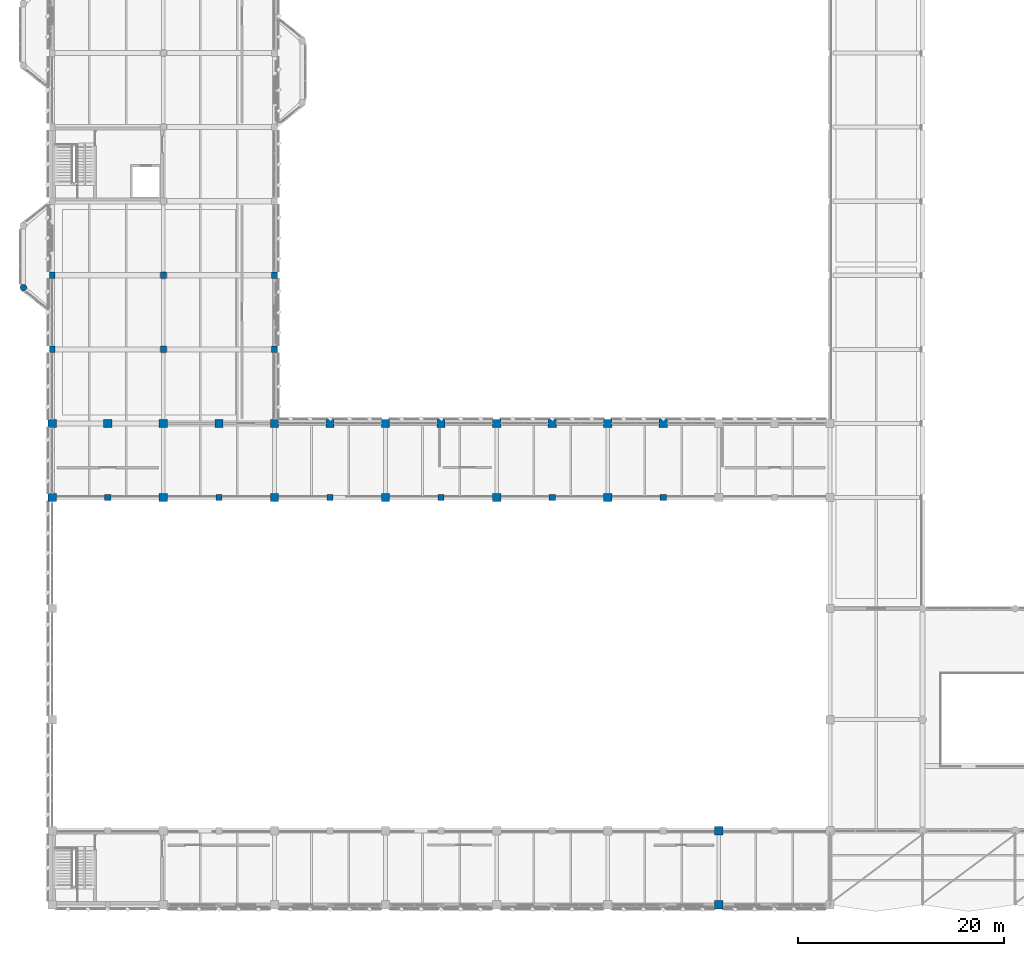
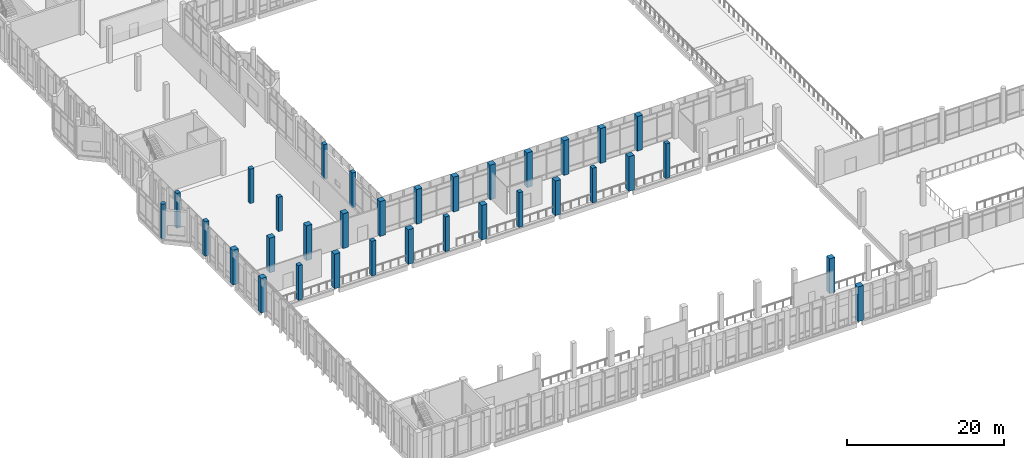
# One storey, part 4 of 180: 33 columns.
"""IFC4 building model written with IfcOpenShell, lengths in metres."""

import ifcopenshell
import ifcopenshell.guid

model = None  # the IFC model being written
_history = None  # IfcOwnerHistory: only IFC2X3 demands one
_inside = {}  # id of a spatial element -> (the spatial element, [elements in it])
_under = {}  # id of a project, library or spatial element -> (it, [spatial elements below it])
_declared = {}  # id of a project -> (the project, [libraries it declares])
_typed = {}  # id of a type object -> (the type object, [elements of that type])
_made_of = {}  # id of a material, layer set ... -> (it, [elements and type objects made of it])


def new_model(schema):
    """Start an empty IFC model of exactly this schema.

    Asked for "IFC4X3", IfcOpenShell would pick the latest addendum, in which some entities
    have other attributes; the version numbers below select the first issue.
    IFC2X3 requires an IfcOwnerHistory on every rooted entity: one is made here for all.
    """
    global model, _history
    if schema == "IFC4X3":
        model = ifcopenshell.file(schema_version=(4, 3, 0, 0))
    else:
        model = ifcopenshell.file(schema=schema)
    _inside.clear()
    _under.clear()
    _declared.clear()
    _typed.clear()
    _made_of.clear()
    _history = None
    if model.schema == "IFC2X3":
        org = make("IfcOrganization", Name="unknown")
        user = make(
            "IfcPersonAndOrganization",
            ThePerson=make("IfcPerson", FamilyName="unknown"),
            TheOrganization=org,
        )
        app = make(
            "IfcApplication",
            ApplicationDeveloper=org,
            Version="unknown",
            ApplicationFullName="unknown",
            ApplicationIdentifier="unknown",
        )
        _history = make(
            "IfcOwnerHistory",
            OwningUser=user,
            OwningApplication=app,
            ChangeAction="ADDED",
            CreationDate=0,
        )
    return model


def make(cls, **values):
    """One entity of the class cls with the attributes given. An attribute that is None is left unset."""
    return model.create_entity(
        cls, **{name: value for name, value in values.items() if value is not None}
    )


def rooted(cls, **values):
    """An entity with a GlobalId (a new one), such as an element, a storey or a relation."""
    return make(cls, GlobalId=ifcopenshell.guid.new(), OwnerHistory=_history, **values)


def si_unit(unit_type, name, prefix=None):
    """IfcSIUnit, for example si_unit("LENGTHUNIT", "METRE", prefix="MILLI")."""
    return make("IfcSIUnit", UnitType=unit_type, Prefix=prefix, Name=name)


def assignment(units):
    """IfcUnitAssignment: the units of a project."""
    return None if units is None else make("IfcUnitAssignment", Units=units)


def point(xyz):
    """IfcCartesianPoint."""
    return None if xyz is None else make("IfcCartesianPoint", Coordinates=xyz)


def direction(xyz):
    """IfcDirection."""
    return None if xyz is None else make("IfcDirection", DirectionRatios=xyz)


def frame(location, z_axis=None, x_axis=None):
    """IfcAxis2Placement3D, a coordinate frame: its origin and axes. An axis left out is left unset."""
    return make(
        "IfcAxis2Placement3D",
        Location=point(location),
        Axis=direction(z_axis),
        RefDirection=direction(x_axis),
    )


def frame_2d(location, x_axis=None):
    """IfcAxis2Placement2D, a coordinate frame in the plane: its origin and x axis."""
    return make(
        "IfcAxis2Placement2D", Location=point(location), RefDirection=direction(x_axis)
    )


def origin():
    """The frame at (0, 0, 0) with its axes left unset."""
    return frame((0.0, 0.0, 0.0))


def origin_2d():
    """The frame at (0, 0) in the plane with its x axis left unset."""
    return frame_2d((0.0, 0.0))


def place(relative_to, where):
    """IfcLocalPlacement: puts the frame where relative to a parent placement (None: the world)."""
    return make(
        "IfcLocalPlacement", PlacementRelTo=relative_to, RelativePlacement=where
    )


def context(
    kind, dimensions, precision=None, world=None, true_north=None, identifier=None
):
    """IfcGeometricRepresentationContext, for example the 3D "Model" context."""
    return make(
        "IfcGeometricRepresentationContext",
        ContextIdentifier=identifier,
        ContextType=kind,
        CoordinateSpaceDimension=dimensions,
        Precision=precision,
        WorldCoordinateSystem=world,
        TrueNorth=true_north,
    )


def subcontext(parent, identifier, kind, view, scale=None):
    """IfcGeometricRepresentationSubContext, for example "Body" below "Model"."""
    return make(
        "IfcGeometricRepresentationSubContext",
        ContextIdentifier=identifier,
        ContextType=kind,
        ParentContext=parent,
        TargetScale=scale,
        TargetView=view,
    )


def project(units=None, contexts=None):
    """IfcProject with its units and contexts."""
    return rooted(
        "IfcProject",
        Name="project",
        RepresentationContexts=contexts,
        UnitsInContext=assignment(units),
    )


def spatial(cls, under=None, at=None, **own):
    """A site, building, storey or space (cls), placed at a placement, below another one or the project."""
    s = rooted(cls, ObjectPlacement=at, **own)
    if under is not None:
        _under.setdefault(under.id(), (under, []))[1].append(s)
    return s


def profile(cls, at=None, kind="AREA", **sizes):
    """A parametric profile (cls). Its sizes go by their IFC names, for example OverallWidth=200.0."""
    return make(cls, ProfileType=kind, Position=at, **sizes)


def rectangle(**sizes):
    """IfcRectangleProfileDef."""
    return profile("IfcRectangleProfileDef", **sizes)


def circle(**sizes):
    """IfcCircleProfileDef."""
    return profile("IfcCircleProfileDef", **sizes)


def extrude(swept, where, along, depth):
    """IfcExtrudedAreaSolid: the profile swept, set in the frame where, extruded along a direction by depth."""
    return make(
        "IfcExtrudedAreaSolid",
        SweptArea=swept,
        Position=where,
        ExtrudedDirection=direction(along),
        Depth=depth,
    )


def shape(context_of_items, identifier, shape_type, items):
    """IfcShapeRepresentation: the items that make up one representation, for example the "Body"."""
    return make(
        "IfcShapeRepresentation",
        ContextOfItems=context_of_items,
        RepresentationIdentifier=identifier,
        RepresentationType=shape_type,
        Items=items,
    )


def material(Name=None, Category=None):
    """IfcMaterial."""
    return make("IfcMaterial", Name=Name, Category=Category)


def material_profile(
    of_material, cross_section, Name=None, Category=None, Priority=None
):
    """IfcMaterialProfile: a cross section and its material."""
    return make(
        "IfcMaterialProfile",
        Name=Name,
        Material=of_material,
        Profile=cross_section,
        Priority=Priority,
        Category=Category,
    )


def profile_set(profiles, Name=None, composite=None):
    """IfcMaterialProfileSet."""
    return make(
        "IfcMaterialProfileSet",
        Name=Name,
        MaterialProfiles=profiles,
        CompositeProfile=composite,
    )


def made_of(thing, what):
    """Note that an element or type object is made of a material, layer set ...; save() writes the relation."""
    if what is not None:
        _made_of.setdefault(what.id(), (what, []))[1].append(thing)
    return thing


def type_object(cls, material=None, **own):
    """A type object (cls), such as IfcWallType, which elements share."""
    return made_of(rooted(cls, **own), material)


def element(
    cls,
    number,
    at=None,
    inside=None,
    cuts=None,
    type_object=None,
    material=None,
    context=None,
    identifier="Body",
    shape_type=None,
    held_by="IfcProductDefinitionShape",
    body=None,
    shapes=None,
    **own,
):
    """One element of the class cls, such as IfcWall. Its Tag is "e" and its number.

    at: its placement. inside: the storey or other place that contains it. cuts: it is an
    opening in that element (IfcRelVoidsElement). A single representation is given by context,
    identifier, shape_type and body (its items); several are given by shapes. held_by: the class
    of the entity that holds the representations. save() writes the other relations.
    """
    e = rooted(cls, Tag="e%d" % number, ObjectPlacement=at, **own)
    if body is not None:
        shapes = [shape(context, identifier, shape_type, body)]
    if shapes is not None:
        e.Representation = make(held_by, Representations=shapes)
    if inside is not None:
        _inside.setdefault(inside.id(), (inside, []))[1].append(e)
    if cuts is not None:
        rooted(
            "IfcRelVoidsElement", RelatingBuildingElement=cuts, RelatedOpeningElement=e
        )
    if type_object is not None:
        _typed.setdefault(type_object.id(), (type_object, []))[1].append(e)
    return made_of(e, material)


def aggregate(whole, parts):
    """IfcRelAggregates: a whole, such as a stair, and the parts it consists of."""
    return rooted("IfcRelAggregates", RelatingObject=whole, RelatedObjects=parts)


def save(model, path):
    """Write the relations noted so far, then the file.

    IfcRelAggregates (storeys below a building ...), IfcRelContainedInSpatialStructure (elements
    in a storey), IfcRelDefinesByType, IfcRelAssociatesMaterial and IfcRelDeclares: one each for
    every whole, place, type object, material and project.
    """
    for whole, parts in _under.values():
        aggregate(whole, parts)
    for where, things in _inside.values():
        rooted(
            "IfcRelContainedInSpatialStructure",
            RelatedElements=things,
            RelatingStructure=where,
        )
    for kind, things in _typed.values():
        rooted("IfcRelDefinesByType", RelatedObjects=things, RelatingType=kind)
    for what, things in _made_of.values():
        rooted("IfcRelAssociatesMaterial", RelatedObjects=things, RelatingMaterial=what)
    for by, libraries in _declared.values():
        rooted("IfcRelDeclares", RelatingContext=by, RelatedDefinitions=libraries)
    model.write(path)


model = new_model("IFC4")

# Units and contexts
model_context = context("Model", 3, precision=1e-05, world=origin(), true_north=direction((0.0, 1.0)))
body_context = subcontext(model_context, "Body", "Model", "MODEL_VIEW")
ifc_project = project(units=[si_unit("LENGTHUNIT", "METRE"), si_unit("AREAUNIT", "SQUARE_METRE"), si_unit("VOLUMEUNIT", "CUBIC_METRE"), si_unit("PLANEANGLEUNIT", "RADIAN"), si_unit("MASSUNIT", "GRAM", prefix="KILO")], contexts=[model_context])

# Site, building, storey
site_placement = place(None, origin())
site = spatial("IfcSite", under=ifc_project, at=site_placement, CompositionType="ELEMENT")
building_placement = place(site_placement, origin())
building = spatial("IfcBuilding", under=site, at=building_placement, Name="Lusvemor Sports Hall", CompositionType="ELEMENT")
storey_placement = place(building_placement, frame((0.0, 0.0, 5.39990234375)))
storey = spatial("IfcBuildingStorey", under=building, at=storey_placement, Name="L01", CompositionType="ELEMENT", Elevation=5.39990234375)

# Columns
ifc_material_1 = material(Name="Concrete C40/50", Category="concrete")
ifc_material_profile_1 = material_profile(ifc_material_1, circle(Radius=0.324951171875, at=origin_2d()), Name="RCCIRC650")
ifc_profile_set_1 = profile_set([ifc_material_profile_1], Name="Concrete C40/50")
column_type_1 = type_object("IfcColumnType", Name="COL_COLONNADE", PredefinedType="COLUMN", material=ifc_profile_set_1)
column_placement = place(storey_placement, frame((-2.800048828125, 60.0, 0.0), z_axis=(0.0, 0.0, 1.0), x_axis=(1.0, 0.0, 0.0)))
element("IfcColumn", 1, at=column_placement, inside=storey, type_object=column_type_1, Name="Art Nouveau Bow Column BOW-W1-1 (L01)", PredefinedType="COLUMN", context=body_context, shape_type="SweptSolid", body=[
    extrude(circle(Radius=0.324951171875, at=origin_2d()), origin(), (0.0, 0.0, 1.0), 5.400146484375),
])
ifc_material_2 = material(Name="Concrete C40/50", Category="concrete")
ifc_material_profile_2 = material_profile(ifc_material_2, rectangle(XDim=0.800048828125, YDim=0.800048828125, at=origin_2d()), Name="RC800x800")
ifc_profile_set_2 = profile_set([ifc_material_profile_2], Name="Concrete C40/50")
column_type_2 = type_object("IfcColumnType", Name="COL_HALL_W", PredefinedType="COLUMN", material=ifc_profile_set_2)
for number, where, z_axis, x_axis, name in (
    (2, (0.0, 39.60009765625, 0.0), (0.0, 0.0, 1.0), (1.0, 0.0, 0.0), "Column 1/E (L01)"),
    (3, (0.0, 46.800048828125, 0.0), (0.0, 0.0, 1.0), (1.0, 0.0, 0.0), "Column 1/F (L01)"),
    (4, (10.800048828125, 39.60009765625, 0.0), (0.0, 0.0, 1.0), (1.0, 0.0, 0.0), "Column 2/E (L01)"),
    (5, (10.800048828125, 46.800048828125, 0.0), (0.0, 0.0, 1.0), (1.0, 0.0, 0.0), "Column 2/F (L01)"),
    (6, (21.60009765625, 39.60009765625, 0.0), (0.0, 0.0, 1.0), (1.0, 0.0, 0.0), "Column 3/E (L01)"),
    (7, (21.60009765625, 46.800048828125, 0.0), (0.0, 0.0, 1.0), (1.0, 0.0, 0.0), "Column 3/F (L01)"),
    (8, (32.39990234375, 39.60009765625, 0.0), (0.0, 0.0, 1.0), (1.0, 0.0, 0.0), "Column 4/E (L01)"),
    (9, (32.39990234375, 46.800048828125, 0.0), (0.0, 0.0, 1.0), (1.0, 0.0, 0.0), "Column 4/F (L01)"),
    (10, (43.199951171875, 39.60009765625, 0.0), (0.0, 0.0, 1.0), (1.0, 0.0, 0.0), "Column 5/E (L01)"),
    (11, (43.199951171875, 46.800048828125, 0.0), (0.0, 0.0, 1.0), (1.0, 0.0, 0.0), "Column 5/F (L01)"),
    (12, (54.0, 39.60009765625, 0.0), (0.0, 0.0, 1.0), (1.0, 0.0, 0.0), "Column 6/E (L01)"),
    (13, (54.0, 46.800048828125, 0.0), (0.0, 0.0, 1.0), (1.0, 0.0, 0.0), "Column 6/F (L01)"),
    (14, (64.800048828125, 0.0, 0.0), (0.0, 0.0, 1.0), (1.0, 0.0, 0.0), "Column 7/A (L01)"),
    (15, (64.800048828125, 7.199951171875, 0.0), (0.0, 0.0, 1.0), (1.0, 0.0, 0.0), "Column 7/B (L01)"),
    (16, (5.39990234375, 46.800048828125, 0.0), (0.0, 0.0, 1.0), (1.0, 0.0, 0.0), "Wave North Eave Column N1 (L01)"),
    (17, (16.199951171875, 46.800048828125, 0.0), (0.0, 0.0, 1.0), (1.0, 0.0, 0.0), "Wave North Eave Column N2 (L01)"),
    (18, (27.0, 46.800048828125, 0.0), (0.0, 0.0, 1.0), (1.0, 0.0, 0.0), "Wave North Eave Column N3 (L01)"),
    (19, (37.800048828125, 46.800048828125, 0.0), (0.0, 0.0, 1.0), (1.0, 0.0, 0.0), "Wave North Eave Column N4 (L01)"),
    (20, (48.60009765625, 46.800048828125, 0.0), (0.0, 0.0, 1.0), (1.0, 0.0, 0.0), "Wave North Eave Column N5 (L01)"),
    (21, (59.39990234375, 46.800048828125, 0.0), (0.0, 0.0, 1.0), (1.0, 0.0, 0.0), "Wave North Eave Column N6 (L01)"),
):
    element("IfcColumn", number, at=place(storey_placement, frame(where, z_axis=z_axis, x_axis=x_axis)), inside=storey, type_object=column_type_2, Name=name, PredefinedType="COLUMN", context=body_context, shape_type="SweptSolid", body=[
        extrude(rectangle(XDim=0.800048828125, YDim=0.800048828125, at=origin_2d()), origin(), (0.0, 0.0, 1.0), 5.400146484375),
    ])
ifc_material_3 = material(Name="Concrete C40/50", Category="concrete")
ifc_material_profile_3 = material_profile(ifc_material_3, rectangle(XDim=0.56005859375, YDim=0.639892578125, at=origin_2d()), Name="RC560x640")
ifc_profile_set_3 = profile_set([ifc_material_profile_3], Name="Concrete C40/50")
column_type_3 = type_object("IfcColumnType", Name="COL_WING_E", PredefinedType="COLUMN", material=ifc_profile_set_3)
for number, where, z_axis, x_axis, name in (
    (22, (0.0, 54.0, 0.0), (0.0, 0.0, 1.0), (1.0, 0.0, 0.0), "Column 1/G (L01)"),
    (23, (0.0, 61.199951171875, 0.0), (0.0, 0.0, 1.0), (1.0, 0.0, 0.0), "Column 1/H (L01)"),
    (24, (21.60009765625, 54.0, 0.0), (0.0, 0.0, 1.0), (1.0, 0.0, 0.0), "Column 3/G (L01)"),
    (25, (21.60009765625, 61.199951171875, 0.0), (0.0, 0.0, 1.0), (1.0, 0.0, 0.0), "Column 3/H (L01)"),
):
    element("IfcColumn", number, at=place(storey_placement, frame(where, z_axis=z_axis, x_axis=x_axis)), inside=storey, type_object=column_type_3, Name=name, PredefinedType="COLUMN", context=body_context, shape_type="SweptSolid", body=[
        extrude(rectangle(XDim=0.56005859375, YDim=0.639892578125, at=origin_2d()), origin(), (0.0, 0.0, 1.0), 5.400146484375),
    ])
ifc_material_4 = material(Name="Concrete C40/50", Category="concrete")
ifc_material_profile_4 = material_profile(ifc_material_4, rectangle(XDim=0.60009765625, YDim=0.60009765625, at=origin_2d()), Name="RC600x600")
ifc_profile_set_4 = profile_set([ifc_material_profile_4], Name="Concrete C40/50")
column_type_4 = type_object("IfcColumnType", Name="COL_WING_L", PredefinedType="COLUMN", material=ifc_profile_set_4)
for number, where, z_axis, x_axis, name in (
    (26, (10.800048828125, 54.0, 0.0), (0.0, 0.0, 1.0), (1.0, 0.0, 0.0), "Column 2/G (L01)"),
    (27, (10.800048828125, 61.199951171875, 0.0), (0.0, 0.0, 1.0), (1.0, 0.0, 0.0), "Column 2/H (L01)"),
    (28, (5.39990234375, 39.60009765625, 0.0), (0.0, 0.0, 1.0), (1.0, 0.0, 0.0), "Wave Mid-Bay Column N1 (L01)"),
    (29, (16.199951171875, 39.60009765625, 0.0), (0.0, 0.0, 1.0), (1.0, 0.0, 0.0), "Wave Mid-Bay Column N2 (L01)"),
    (30, (27.0, 39.60009765625, 0.0), (0.0, 0.0, 1.0), (1.0, 0.0, 0.0), "Wave Mid-Bay Column N3 (L01)"),
    (31, (37.800048828125, 39.60009765625, 0.0), (0.0, 0.0, 1.0), (1.0, 0.0, 0.0), "Wave Mid-Bay Column N4 (L01)"),
    (32, (48.60009765625, 39.60009765625, 0.0), (0.0, 0.0, 1.0), (1.0, 0.0, 0.0), "Wave Mid-Bay Column N5 (L01)"),
    (33, (59.39990234375, 39.60009765625, 0.0), (0.0, 0.0, 1.0), (1.0, 0.0, 0.0), "Wave Mid-Bay Column N6 (L01)"),
):
    element("IfcColumn", number, at=place(storey_placement, frame(where, z_axis=z_axis, x_axis=x_axis)), inside=storey, type_object=column_type_4, Name=name, PredefinedType="COLUMN", context=body_context, shape_type="SweptSolid", body=[
        extrude(rectangle(XDim=0.60009765625, YDim=0.60009765625, at=origin_2d()), origin(), (0.0, 0.0, 1.0), 5.400146484375),
    ])

save(model, "model.ifc")
